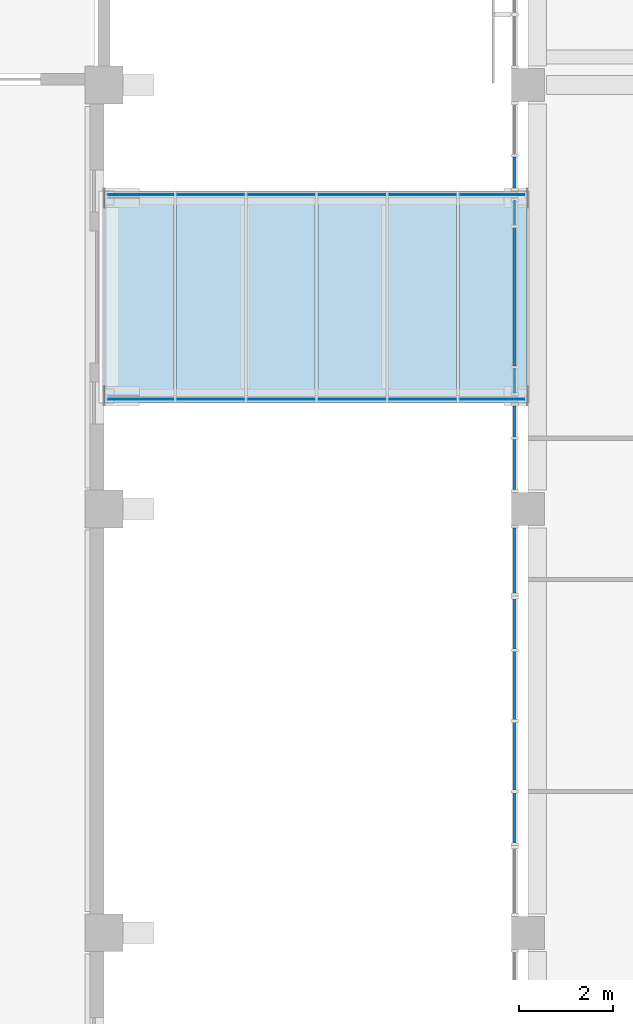
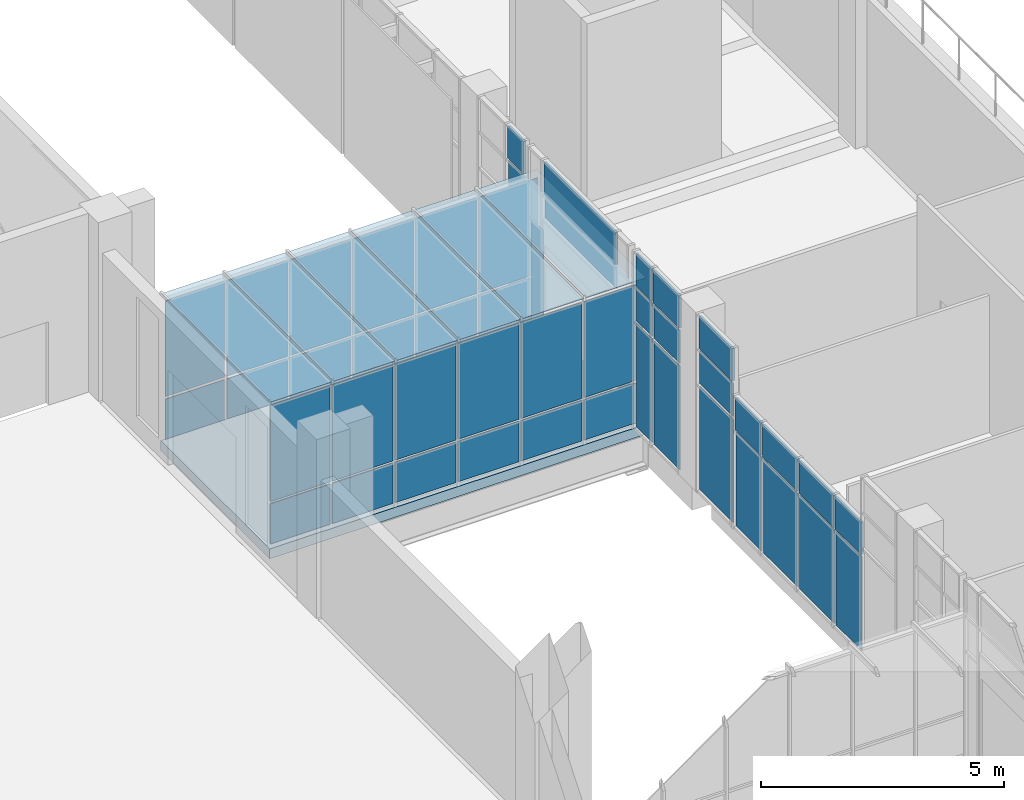
# One storey, part 56 of 106: 54 plates, 1 slab, 8 elements without a shape of their own.
"""IFC4 building model written with IfcOpenShell, lengths in metres."""

from ifc_helpers import new_model, si_unit, direction, frame, origin, origin_2d, place, context, subcontext, project, spatial, polyline, rectangle, outline, extrude, material, layer, layer_set, type_object, element, aggregate, save


model = new_model("IFC4")

# Units and contexts
model_context = context("Model", 3, precision=1e-05, world=origin(), true_north=direction((0.0, 1.0)))
body_context = subcontext(model_context, "Body", "Model", "MODEL_VIEW")
ifc_project = project(units=[si_unit("LENGTHUNIT", "METRE"), si_unit("AREAUNIT", "SQUARE_METRE"), si_unit("VOLUMEUNIT", "CUBIC_METRE"), si_unit("PLANEANGLEUNIT", "RADIAN"), si_unit("MASSUNIT", "GRAM", prefix="KILO")], contexts=[model_context])

# Site, building, storey
site_placement = place(None, origin())
site = spatial("IfcSite", under=ifc_project, at=site_placement, CompositionType="ELEMENT")
building_placement = place(site_placement, origin())
building = spatial("IfcBuilding", under=site, at=building_placement, Name="Guidao Yard Department Store", CompositionType="ELEMENT")
storey_placement = place(building_placement, frame((0.0, 0.0, 10.5)))
storey = spatial("IfcBuildingStorey", under=building, at=storey_placement, Name="L02", CompositionType="ELEMENT", Elevation=10.5)

# Slab
ifc_material_1 = material(Name="Concrete C35", Category="concrete")
ifc_layer_1 = layer(ifc_material_1, 0.25)
ifc_layer_set_1 = layer_set([ifc_layer_1], Name="Bridge deck slab 250 C35")
slab_type = type_object("IfcSlabType", Name="Bridge deck slab 250 C35", PredefinedType="FLOOR", material=ifc_layer_set_1)
slab_placement = place(storey_placement, frame((0.0, 0.0, -0.25)))
element("IfcSlab", 1, at=slab_placement, inside=storey, type_object=slab_type, Name="Slab BR04", PredefinedType="FLOOR", context=body_context, shape_type="SweptSolid", body=[
    extrude(outline(polyline([(63.014892578125, 74.25), (63.014892578125, 78.75), (72.0, 78.75), (72.0, 74.25), (63.014892578125, 74.25)])), origin(), (0.0, 0.0, 1.0), 0.25),
])

# Curtain wall, plates
ifc_material_2 = material(Name="Aluminium and glass", Category="aluminium")
ifc_layer_2 = layer(ifc_material_2, 0.159912109375)
ifc_layer_set_2 = layer_set([ifc_layer_2], Name="Bridge glazing CW5 1500 module")
curtain_wall_type_1 = type_object("IfcCurtainWallType", Name="Bridge glazing CW5 1500 module", PredefinedType="NOTDEFINED", material=ifc_layer_set_2)
curtain_wall_1_placement = place(storey_placement, origin())
curtain_wall_1 = element("IfcCurtainWall", 2, at=curtain_wall_1_placement, inside=storey, type_object=curtain_wall_type_1, Name="Bridge roof glazing BR04", PredefinedType="NOTDEFINED")
ifc_material_3 = material(Name="Laminated glass", Category="glass")
ifc_layer_3 = layer(ifc_material_3, 0.017578125)
ifc_layer_set_3 = layer_set([ifc_layer_3], Name="Bridge roof glass BG1 laminated 8+8 fritted")
plate_type_1 = type_object("IfcPlateType", Name="Bridge roof glass BG1 laminated 8+8 fritted", PredefinedType="CURTAIN_PANEL", material=ifc_layer_set_3)
plate_1_placement = place(storey_placement, frame((63.764892578125, 76.5, 3.671142578125), z_axis=(0.0, 0.0, 1.0), x_axis=(1.0, 0.0, 0.0)))
plate_1 = element("IfcPlate", 3, at=plate_1_placement, type_object=plate_type_1, Name="Bridge roof glass BR04", PredefinedType="CURTAIN_PANEL", context=body_context, shape_type="SweptSolid", body=[
    extrude(rectangle(XDim=1.43994140625, YDim=4.5, at=origin_2d()), origin(), (0.0, 0.0, 1.0), 0.017578125),
])
plate_2_placement = place(storey_placement, frame((65.264892578125, 76.5, 3.671142578125), z_axis=(0.0, 0.0, 1.0), x_axis=(1.0, 0.0, 0.0)))
plate_2 = element("IfcPlate", 4, at=plate_2_placement, type_object=plate_type_1, Name="Bridge roof glass BR04", PredefinedType="CURTAIN_PANEL", context=body_context, shape_type="SweptSolid", body=[
    extrude(rectangle(XDim=1.43994140625, YDim=4.5, at=origin_2d()), origin(), (0.0, 0.0, 1.0), 0.017578125),
])
plate_3_placement = place(storey_placement, frame((66.764892578125, 76.5, 3.671142578125), z_axis=(0.0, 0.0, 1.0), x_axis=(1.0, 0.0, 0.0)))
plate_3 = element("IfcPlate", 5, at=plate_3_placement, type_object=plate_type_1, Name="Bridge roof glass BR04", PredefinedType="CURTAIN_PANEL", context=body_context, shape_type="SweptSolid", body=[
    extrude(rectangle(XDim=1.43994140625, YDim=4.5, at=origin_2d()), origin(), (0.0, 0.0, 1.0), 0.017578125),
])
plate_4_placement = place(storey_placement, frame((68.264892578125, 76.5, 3.671142578125), z_axis=(0.0, 0.0, 1.0), x_axis=(1.0, 0.0, 0.0)))
plate_4 = element("IfcPlate", 6, at=plate_4_placement, type_object=plate_type_1, Name="Bridge roof glass BR04", PredefinedType="CURTAIN_PANEL", context=body_context, shape_type="SweptSolid", body=[
    extrude(rectangle(XDim=1.43994140625, YDim=4.5, at=origin_2d()), origin(), (0.0, 0.0, 1.0), 0.017578125),
])
plate_5_placement = place(storey_placement, frame((69.764892578125, 76.5, 3.671142578125), z_axis=(0.0, 0.0, 1.0), x_axis=(1.0, 0.0, 0.0)))
plate_5 = element("IfcPlate", 7, at=plate_5_placement, type_object=plate_type_1, Name="Bridge roof glass BR04", PredefinedType="CURTAIN_PANEL", context=body_context, shape_type="SweptSolid", body=[
    extrude(rectangle(XDim=1.43994140625, YDim=4.5, at=origin_2d()), origin(), (0.0, 0.0, 1.0), 0.017578125),
])
plate_6_placement = place(storey_placement, frame((71.257568359375, 76.5, 3.671142578125), z_axis=(0.0, 0.0, 1.0), x_axis=(1.0, 0.0, 0.0)))
plate_6 = element("IfcPlate", 8, at=plate_6_placement, type_object=plate_type_1, Name="Bridge roof glass BR04", PredefinedType="CURTAIN_PANEL", context=body_context, shape_type="SweptSolid", body=[
    extrude(rectangle(XDim=1.425048828125, YDim=4.5, at=origin_2d()), origin(), (0.0, 0.0, 1.0), 0.017578125),
])
aggregate(curtain_wall_1, [plate_1, plate_2, plate_3, plate_4, plate_5, plate_6])

ifc_material_4 = material(Name="Aluminium and glass", Category="aluminium")
ifc_layer_4 = layer(ifc_material_4, 0.159912109375)
ifc_layer_set_4 = layer_set([ifc_layer_4], Name="Shopfront curtain wall CW1 1500 module")
curtain_wall_type_2 = type_object("IfcCurtainWallType", Name="Shopfront curtain wall CW1 1500 module", PredefinedType="NOTDEFINED", material=ifc_layer_set_4)
curtain_wall_2_placement = place(storey_placement, origin())
curtain_wall_2 = element("IfcCurtainWall", 9, at=curtain_wall_2_placement, inside=storey, type_object=curtain_wall_type_2, Name="Arcade shop front", PredefinedType="NOTDEFINED")
ifc_material_5 = material(Name="Aluminium 6063-T5 faced insulated spandrel", Category="aluminium")
ifc_layer_5 = layer(ifc_material_5, 0.06005859375)
ifc_layer_set_5 = layer_set([ifc_layer_5], Name="Spandrel panel SP1 insulated opaque")
plate_type_2 = type_object("IfcPlateType", Name="Spandrel panel SP1 insulated opaque", PredefinedType="CURTAIN_PANEL", material=ifc_layer_set_5)
plate_7_placement = place(storey_placement, frame((71.719970703125, 65.43994140625, 2.47998046875), z_axis=(0.0, 0.0, 1.0), x_axis=(0.0, 1.0, 0.0)))
plate_7 = element("IfcPlate", 10, at=plate_7_placement, type_object=plate_type_2, Name="CW-AS-L02-06 panel 1.2", PredefinedType="CURTAIN_PANEL", context=body_context, shape_type="SweptSolid", body=[
    extrude(rectangle(XDim=1.06005859375, YDim=0.06005859375, at=origin_2d()), origin(), (0.0, 0.0, 1.0), 0.81005859375),
])
plate_8_placement = place(storey_placement, frame((71.719970703125, 66.75, 2.47998046875), z_axis=(0.0, 0.0, 1.0), x_axis=(0.0, 1.0, 0.0)))
plate_8 = element("IfcPlate", 11, at=plate_8_placement, type_object=plate_type_2, Name="CW-AS-L02-06 panel 2.2", PredefinedType="CURTAIN_PANEL", context=body_context, shape_type="SweptSolid", body=[
    extrude(rectangle(XDim=1.43994140625, YDim=0.06005859375, at=origin_2d()), origin(), (0.0, 0.0, 1.0), 0.81005859375),
])
plate_9_placement = place(storey_placement, frame((71.719970703125, 68.25, 2.47998046875), z_axis=(0.0, 0.0, 1.0), x_axis=(0.0, 1.0, 0.0)))
plate_9 = element("IfcPlate", 12, at=plate_9_placement, type_object=plate_type_2, Name="CW-AS-L02-06 panel 3.2", PredefinedType="CURTAIN_PANEL", context=body_context, shape_type="SweptSolid", body=[
    extrude(rectangle(XDim=1.43994140625, YDim=0.06005859375, at=origin_2d()), origin(), (0.0, 0.0, 1.0), 0.81005859375),
])
plate_10_placement = place(storey_placement, frame((71.719970703125, 69.56005859375, 2.47998046875), z_axis=(0.0, 0.0, 1.0), x_axis=(0.0, 1.0, 0.0)))
plate_10 = element("IfcPlate", 13, at=plate_10_placement, type_object=plate_type_2, Name="CW-AS-L02-06 panel 4.2", PredefinedType="CURTAIN_PANEL", context=body_context, shape_type="SweptSolid", body=[
    extrude(rectangle(XDim=1.06005859375, YDim=0.06005859375, at=origin_2d()), origin(), (0.0, 0.0, 1.0), 0.81005859375),
])

# Curtain wall, plate
curtain_wall_3_placement = place(storey_placement, origin())
curtain_wall_3 = element("IfcCurtainWall", 14, at=curtain_wall_3_placement, inside=storey, type_object=curtain_wall_type_2, Name="Arcade shop front", PredefinedType="NOTDEFINED")
plate_11_placement = place(storey_placement, frame((71.719970703125, 70.89990234375, 3.6298828125), z_axis=(0.0, 0.0, 1.0), x_axis=(0.0, 1.0, 0.0)))
plate_11 = element("IfcPlate", 15, at=plate_11_placement, type_object=plate_type_2, Name="CW-AS-L02-07 panel 1.3", PredefinedType="CURTAIN_PANEL", context=body_context, shape_type="SweptSolid", body=[
    extrude(rectangle(XDim=1.3798828125, YDim=0.06005859375, at=origin_2d()), origin(), (0.0, 0.0, 1.0), 0.81005859375),
])

# Curtain wall, plates
curtain_wall_4_placement = place(storey_placement, origin())
curtain_wall_4 = element("IfcCurtainWall", 16, at=curtain_wall_4_placement, inside=storey, type_object=curtain_wall_type_2, Name="Arcade shop front", PredefinedType="NOTDEFINED")
plate_12_placement = place(storey_placement, frame((71.719970703125, 72.93994140625, 3.6298828125), z_axis=(0.0, 0.0, 1.0), x_axis=(0.0, 1.0, 0.0)))
plate_12 = element("IfcPlate", 17, at=plate_12_placement, type_object=plate_type_2, Name="CW-AS-L02-08 panel 1.3", PredefinedType="CURTAIN_PANEL", context=body_context, shape_type="SweptSolid", body=[
    extrude(rectangle(XDim=1.06005859375, YDim=0.06005859375, at=origin_2d()), origin(), (0.0, 0.0, 1.0), 0.81005859375),
])
plate_13_placement = place(storey_placement, frame((71.719970703125, 73.860107421875, 3.6298828125), z_axis=(0.0, 0.0, 1.0), x_axis=(0.0, 1.0, 0.0)))
plate_13 = element("IfcPlate", 18, at=plate_13_placement, type_object=plate_type_2, Name="CW-AS-L02-08 panel 2.3", PredefinedType="CURTAIN_PANEL", context=body_context, shape_type="SweptSolid", body=[
    extrude(rectangle(XDim=0.659912109375, YDim=0.06005859375, at=origin_2d()), origin(), (0.0, 0.0, 1.0), 0.81005859375),
])

# Curtain wall, plate
curtain_wall_5_placement = place(storey_placement, origin())
curtain_wall_5 = element("IfcCurtainWall", 19, at=curtain_wall_5_placement, inside=storey, type_object=curtain_wall_type_2, Name="Arcade shop front", PredefinedType="NOTDEFINED")
plate_14_placement = place(storey_placement, frame((71.719970703125, 76.5, 3.6298828125), z_axis=(0.0, 0.0, 1.0), x_axis=(0.0, 1.0, 0.0)))
plate_14 = element("IfcPlate", 20, at=plate_14_placement, type_object=plate_type_2, Name="CW-AS-L02-09 panel 2.3", PredefinedType="CURTAIN_PANEL", context=body_context, shape_type="SweptSolid", body=[
    extrude(rectangle(XDim=2.93994140625, YDim=0.06005859375, at=origin_2d()), origin(), (0.0, 0.0, 1.0), 0.81005859375),
])

curtain_wall_6_placement = place(storey_placement, origin())
curtain_wall_6 = element("IfcCurtainWall", 21, at=curtain_wall_6_placement, inside=storey, type_object=curtain_wall_type_2, Name="Arcade shop front", PredefinedType="NOTDEFINED")
plate_15_placement = place(storey_placement, frame((71.719970703125, 79.139892578125, 3.6298828125), z_axis=(0.0, 0.0, 1.0), x_axis=(0.0, 1.0, 0.0)))
plate_15 = element("IfcPlate", 22, at=plate_15_placement, type_object=plate_type_2, Name="CW-AS-L02-10 panel 1.3", PredefinedType="CURTAIN_PANEL", context=body_context, shape_type="SweptSolid", body=[
    extrude(rectangle(XDim=0.659912109375, YDim=0.06005859375, at=origin_2d()), origin(), (0.0, 0.0, 1.0), 0.81005859375),
])

# Plate
ifc_material_6 = material(Name="Laminated heat-soaked tempered glass", Category="glass")
ifc_layer_6 = layer(ifc_material_6, 0.017578125)
ifc_layer_set_6 = layer_set([ifc_layer_6], Name="Vision glass VG1 laminated heat-soaked tempered 8+8")
plate_type_3 = type_object("IfcPlateType", Name="Vision glass VG1 laminated heat-soaked tempered 8+8", PredefinedType="CURTAIN_PANEL", material=ifc_layer_set_6)
plate_16_placement = place(storey_placement, frame((71.719970703125, 65.43994140625, 0.06005859375), z_axis=(0.0, 0.0, 1.0), x_axis=(0.0, 1.0, 0.0)))
plate_16 = element("IfcPlate", 23, at=plate_16_placement, type_object=plate_type_3, Name="CW-AS-L02-06 panel 1.1", PredefinedType="CURTAIN_PANEL", context=body_context, shape_type="SweptSolid", body=[
    extrude(rectangle(XDim=1.06005859375, YDim=0.017578125, at=origin_2d()), origin(), (0.0, 0.0, 1.0), 2.360107421875),
])

plate_17_placement = place(storey_placement, frame((71.719970703125, 66.75, 0.06005859375), z_axis=(0.0, 0.0, 1.0), x_axis=(0.0, 1.0, 0.0)))
plate_17 = element("IfcPlate", 24, at=plate_17_placement, type_object=plate_type_3, Name="CW-AS-L02-06 panel 2.1", PredefinedType="CURTAIN_PANEL", context=body_context, shape_type="SweptSolid", body=[
    extrude(rectangle(XDim=1.43994140625, YDim=0.017578125, at=origin_2d()), origin(), (0.0, 0.0, 1.0), 2.360107421875),
])

plate_18_placement = place(storey_placement, frame((71.719970703125, 68.25, 0.06005859375), z_axis=(0.0, 0.0, 1.0), x_axis=(0.0, 1.0, 0.0)))
plate_18 = element("IfcPlate", 25, at=plate_18_placement, type_object=plate_type_3, Name="CW-AS-L02-06 panel 3.1", PredefinedType="CURTAIN_PANEL", context=body_context, shape_type="SweptSolid", body=[
    extrude(rectangle(XDim=1.43994140625, YDim=0.017578125, at=origin_2d()), origin(), (0.0, 0.0, 1.0), 2.360107421875),
])

plate_19_placement = place(storey_placement, frame((71.719970703125, 69.56005859375, 0.06005859375), z_axis=(0.0, 0.0, 1.0), x_axis=(0.0, 1.0, 0.0)))
plate_19 = element("IfcPlate", 26, at=plate_19_placement, type_object=plate_type_3, Name="CW-AS-L02-06 panel 4.1", PredefinedType="CURTAIN_PANEL", context=body_context, shape_type="SweptSolid", body=[
    extrude(rectangle(XDim=1.06005859375, YDim=0.017578125, at=origin_2d()), origin(), (0.0, 0.0, 1.0), 2.360107421875),
])

aggregate(curtain_wall_2, [plate_16, plate_7, plate_17, plate_8, plate_18, plate_9, plate_19, plate_10])

plate_20_placement = place(storey_placement, frame((71.719970703125, 70.89990234375, 0.06005859375), z_axis=(0.0, 0.0, 1.0), x_axis=(0.0, 1.0, 0.0)))
plate_20 = element("IfcPlate", 27, at=plate_20_placement, type_object=plate_type_3, Name="CW-AS-L02-07 panel 1.1", PredefinedType="CURTAIN_PANEL", context=body_context, shape_type="SweptSolid", body=[
    extrude(rectangle(XDim=1.3798828125, YDim=0.017578125, at=origin_2d()), origin(), (0.0, 0.0, 1.0), 2.610107421875),
])

plate_21_placement = place(storey_placement, frame((71.719970703125, 70.89990234375, 2.72998046875), z_axis=(0.0, 0.0, 1.0), x_axis=(0.0, 1.0, 0.0)))
plate_21 = element("IfcPlate", 28, at=plate_21_placement, type_object=plate_type_3, Name="CW-AS-L02-07 panel 1.2", PredefinedType="CURTAIN_PANEL", context=body_context, shape_type="SweptSolid", body=[
    extrude(rectangle(XDim=1.3798828125, YDim=0.017578125, at=origin_2d()), origin(), (0.0, 0.0, 1.0), 0.840087890625),
])

aggregate(curtain_wall_3, [plate_20, plate_21, plate_11])

plate_22_placement = place(storey_placement, frame((71.719970703125, 72.93994140625, 0.06005859375), z_axis=(0.0, 0.0, 1.0), x_axis=(0.0, 1.0, 0.0)))
plate_22 = element("IfcPlate", 29, at=plate_22_placement, type_object=plate_type_3, Name="CW-AS-L02-08 panel 1.1", PredefinedType="CURTAIN_PANEL", context=body_context, shape_type="SweptSolid", body=[
    extrude(rectangle(XDim=1.06005859375, YDim=0.017578125, at=origin_2d()), origin(), (0.0, 0.0, 1.0), 2.610107421875),
])

plate_23_placement = place(storey_placement, frame((71.719970703125, 72.93994140625, 2.72998046875), z_axis=(0.0, 0.0, 1.0), x_axis=(0.0, 1.0, 0.0)))
plate_23 = element("IfcPlate", 30, at=plate_23_placement, type_object=plate_type_3, Name="CW-AS-L02-08 panel 1.2", PredefinedType="CURTAIN_PANEL", context=body_context, shape_type="SweptSolid", body=[
    extrude(rectangle(XDim=1.06005859375, YDim=0.017578125, at=origin_2d()), origin(), (0.0, 0.0, 1.0), 0.840087890625),
])

plate_24_placement = place(storey_placement, frame((71.719970703125, 73.860107421875, 0.06005859375), z_axis=(0.0, 0.0, 1.0), x_axis=(0.0, 1.0, 0.0)))
plate_24 = element("IfcPlate", 31, at=plate_24_placement, type_object=plate_type_3, Name="CW-AS-L02-08 panel 2.1", PredefinedType="CURTAIN_PANEL", context=body_context, shape_type="SweptSolid", body=[
    extrude(rectangle(XDim=0.659912109375, YDim=0.017578125, at=origin_2d()), origin(), (0.0, 0.0, 1.0), 2.610107421875),
])

plate_25_placement = place(storey_placement, frame((71.719970703125, 73.860107421875, 2.72998046875), z_axis=(0.0, 0.0, 1.0), x_axis=(0.0, 1.0, 0.0)))
plate_25 = element("IfcPlate", 32, at=plate_25_placement, type_object=plate_type_3, Name="CW-AS-L02-08 panel 2.2", PredefinedType="CURTAIN_PANEL", context=body_context, shape_type="SweptSolid", body=[
    extrude(rectangle(XDim=0.659912109375, YDim=0.017578125, at=origin_2d()), origin(), (0.0, 0.0, 1.0), 0.840087890625),
])

aggregate(curtain_wall_4, [plate_22, plate_23, plate_12, plate_24, plate_25, plate_13])

plate_26_placement = place(storey_placement, frame((71.719970703125, 74.719970703125, 0.06005859375), z_axis=(0.0, 0.0, 1.0), x_axis=(0.0, 1.0, 0.0)))
plate_26 = element("IfcPlate", 33, at=plate_26_placement, type_object=plate_type_3, Name="CW-AS-L02-09 panel 1.1", PredefinedType="CURTAIN_PANEL", context=body_context, shape_type="SweptSolid", body=[
    extrude(rectangle(XDim=0.5, YDim=0.017578125, at=origin_2d()), origin(), (0.0, 0.0, 1.0), 2.610107421875),
])

plate_27_placement = place(storey_placement, frame((71.719970703125, 76.5, 3.030029296875), z_axis=(0.0, 0.0, 1.0), x_axis=(0.0, 1.0, 0.0)))
plate_27 = element("IfcPlate", 34, at=plate_27_placement, type_object=plate_type_3, Name="CW-AS-L02-09 panel 2.2", PredefinedType="CURTAIN_PANEL", context=body_context, shape_type="SweptSolid", body=[
    extrude(rectangle(XDim=2.93994140625, YDim=0.017578125, at=origin_2d()), origin(), (0.0, 0.0, 1.0), 0.5400390625),
])

plate_28_placement = place(storey_placement, frame((71.719970703125, 78.280029296875, 0.06005859375), z_axis=(0.0, 0.0, 1.0), x_axis=(0.0, 1.0, 0.0)))
plate_28 = element("IfcPlate", 35, at=plate_28_placement, type_object=plate_type_3, Name="CW-AS-L02-09 panel 3.1", PredefinedType="CURTAIN_PANEL", context=body_context, shape_type="SweptSolid", body=[
    extrude(rectangle(XDim=0.5, YDim=0.017578125, at=origin_2d()), origin(), (0.0, 0.0, 1.0), 2.610107421875),
])

aggregate(curtain_wall_5, [plate_26, plate_27, plate_14, plate_28])

plate_29_placement = place(storey_placement, frame((71.719970703125, 79.139892578125, 0.06005859375), z_axis=(0.0, 0.0, 1.0), x_axis=(0.0, 1.0, 0.0)))
plate_29 = element("IfcPlate", 36, at=plate_29_placement, type_object=plate_type_3, Name="CW-AS-L02-10 panel 1.1", PredefinedType="CURTAIN_PANEL", context=body_context, shape_type="SweptSolid", body=[
    extrude(rectangle(XDim=0.659912109375, YDim=0.017578125, at=origin_2d()), origin(), (0.0, 0.0, 1.0), 2.610107421875),
])

plate_30_placement = place(storey_placement, frame((71.719970703125, 79.139892578125, 2.72998046875), z_axis=(0.0, 0.0, 1.0), x_axis=(0.0, 1.0, 0.0)))
plate_30 = element("IfcPlate", 37, at=plate_30_placement, type_object=plate_type_3, Name="CW-AS-L02-10 panel 1.2", PredefinedType="CURTAIN_PANEL", context=body_context, shape_type="SweptSolid", body=[
    extrude(rectangle(XDim=0.659912109375, YDim=0.017578125, at=origin_2d()), origin(), (0.0, 0.0, 1.0), 0.840087890625),
])

aggregate(curtain_wall_6, [plate_29, plate_30, plate_15])

# Curtain wall, plates
curtain_wall_7_placement = place(storey_placement, origin())
curtain_wall_7 = element("IfcCurtainWall", 38, at=curtain_wall_7_placement, inside=storey, type_object=curtain_wall_type_1, Name="Bridge glazing BR04 S", PredefinedType="NOTDEFINED")
plate_31_placement = place(storey_placement, frame((63.780029296875, 74.330078125, 0.06005859375), z_axis=(0.0, 0.0, 1.0), x_axis=(-1.0, 0.0, 0.0)))
plate_31 = element("IfcPlate", 39, at=plate_31_placement, type_object=plate_type_3, Name="CW-S-L02-03 panel 1.1", PredefinedType="CURTAIN_PANEL", context=body_context, shape_type="SweptSolid", body=[
    extrude(rectangle(XDim=1.409912109375, YDim=0.017578125, at=origin_2d()), origin(), (0.0, 0.0, 1.0), 1.010009765625),
])
plate_32_placement = place(storey_placement, frame((63.780029296875, 74.330078125, 1.1298828125), z_axis=(0.0, 0.0, 1.0), x_axis=(-1.0, 0.0, 0.0)))
plate_32 = element("IfcPlate", 40, at=plate_32_placement, type_object=plate_type_3, Name="CW-S-L02-03 panel 1.2", PredefinedType="CURTAIN_PANEL", context=body_context, shape_type="SweptSolid", body=[
    extrude(rectangle(XDim=1.409912109375, YDim=0.017578125, at=origin_2d()), origin(), (0.0, 0.0, 1.0), 2.409912109375),
])
plate_33_placement = place(storey_placement, frame((65.264892578125, 74.330078125, 0.06005859375), z_axis=(0.0, 0.0, 1.0), x_axis=(-1.0, 0.0, 0.0)))
plate_33 = element("IfcPlate", 41, at=plate_33_placement, type_object=plate_type_3, Name="CW-S-L02-03 panel 2.1", PredefinedType="CURTAIN_PANEL", context=body_context, shape_type="SweptSolid", body=[
    extrude(rectangle(XDim=1.43994140625, YDim=0.017578125, at=origin_2d()), origin(), (0.0, 0.0, 1.0), 1.010009765625),
])
plate_34_placement = place(storey_placement, frame((65.264892578125, 74.330078125, 1.1298828125), z_axis=(0.0, 0.0, 1.0), x_axis=(-1.0, 0.0, 0.0)))
plate_34 = element("IfcPlate", 42, at=plate_34_placement, type_object=plate_type_3, Name="CW-S-L02-03 panel 2.2", PredefinedType="CURTAIN_PANEL", context=body_context, shape_type="SweptSolid", body=[
    extrude(rectangle(XDim=1.43994140625, YDim=0.017578125, at=origin_2d()), origin(), (0.0, 0.0, 1.0), 2.409912109375),
])
plate_35_placement = place(storey_placement, frame((66.764892578125, 74.330078125, 0.06005859375), z_axis=(0.0, 0.0, 1.0), x_axis=(-1.0, 0.0, 0.0)))
plate_35 = element("IfcPlate", 43, at=plate_35_placement, type_object=plate_type_3, Name="CW-S-L02-03 panel 3.1", PredefinedType="CURTAIN_PANEL", context=body_context, shape_type="SweptSolid", body=[
    extrude(rectangle(XDim=1.43994140625, YDim=0.017578125, at=origin_2d()), origin(), (0.0, 0.0, 1.0), 1.010009765625),
])
plate_36_placement = place(storey_placement, frame((66.764892578125, 74.330078125, 1.1298828125), z_axis=(0.0, 0.0, 1.0), x_axis=(-1.0, 0.0, 0.0)))
plate_36 = element("IfcPlate", 44, at=plate_36_placement, type_object=plate_type_3, Name="CW-S-L02-03 panel 3.2", PredefinedType="CURTAIN_PANEL", context=body_context, shape_type="SweptSolid", body=[
    extrude(rectangle(XDim=1.43994140625, YDim=0.017578125, at=origin_2d()), origin(), (0.0, 0.0, 1.0), 2.409912109375),
])
plate_37_placement = place(storey_placement, frame((68.264892578125, 74.330078125, 0.06005859375), z_axis=(0.0, 0.0, 1.0), x_axis=(-1.0, 0.0, 0.0)))
plate_37 = element("IfcPlate", 45, at=plate_37_placement, type_object=plate_type_3, Name="CW-S-L02-03 panel 4.1", PredefinedType="CURTAIN_PANEL", context=body_context, shape_type="SweptSolid", body=[
    extrude(rectangle(XDim=1.43994140625, YDim=0.017578125, at=origin_2d()), origin(), (0.0, 0.0, 1.0), 1.010009765625),
])
plate_38_placement = place(storey_placement, frame((68.264892578125, 74.330078125, 1.1298828125), z_axis=(0.0, 0.0, 1.0), x_axis=(-1.0, 0.0, 0.0)))
plate_38 = element("IfcPlate", 46, at=plate_38_placement, type_object=plate_type_3, Name="CW-S-L02-03 panel 4.2", PredefinedType="CURTAIN_PANEL", context=body_context, shape_type="SweptSolid", body=[
    extrude(rectangle(XDim=1.43994140625, YDim=0.017578125, at=origin_2d()), origin(), (0.0, 0.0, 1.0), 2.409912109375),
])
plate_39_placement = place(storey_placement, frame((69.764892578125, 74.330078125, 0.06005859375), z_axis=(0.0, 0.0, 1.0), x_axis=(-1.0, 0.0, 0.0)))
plate_39 = element("IfcPlate", 47, at=plate_39_placement, type_object=plate_type_3, Name="CW-S-L02-03 panel 5.1", PredefinedType="CURTAIN_PANEL", context=body_context, shape_type="SweptSolid", body=[
    extrude(rectangle(XDim=1.43994140625, YDim=0.017578125, at=origin_2d()), origin(), (0.0, 0.0, 1.0), 1.010009765625),
])
plate_40_placement = place(storey_placement, frame((69.764892578125, 74.330078125, 1.1298828125), z_axis=(0.0, 0.0, 1.0), x_axis=(-1.0, 0.0, 0.0)))
plate_40 = element("IfcPlate", 48, at=plate_40_placement, type_object=plate_type_3, Name="CW-S-L02-03 panel 5.2", PredefinedType="CURTAIN_PANEL", context=body_context, shape_type="SweptSolid", body=[
    extrude(rectangle(XDim=1.43994140625, YDim=0.017578125, at=origin_2d()), origin(), (0.0, 0.0, 1.0), 2.409912109375),
])
plate_41_placement = place(storey_placement, frame((71.242431640625, 74.330078125, 0.06005859375), z_axis=(0.0, 0.0, 1.0), x_axis=(-1.0, 0.0, 0.0)))
plate_41 = element("IfcPlate", 49, at=plate_41_placement, type_object=plate_type_3, Name="CW-S-L02-03 panel 6.1", PredefinedType="CURTAIN_PANEL", context=body_context, shape_type="SweptSolid", body=[
    extrude(rectangle(XDim=1.39501953125, YDim=0.017578125, at=origin_2d()), origin(), (0.0, 0.0, 1.0), 1.010009765625),
])
plate_42_placement = place(storey_placement, frame((71.242431640625, 74.330078125, 1.1298828125), z_axis=(0.0, 0.0, 1.0), x_axis=(-1.0, 0.0, 0.0)))
plate_42 = element("IfcPlate", 50, at=plate_42_placement, type_object=plate_type_3, Name="CW-S-L02-03 panel 6.2", PredefinedType="CURTAIN_PANEL", context=body_context, shape_type="SweptSolid", body=[
    extrude(rectangle(XDim=1.39501953125, YDim=0.017578125, at=origin_2d()), origin(), (0.0, 0.0, 1.0), 2.409912109375),
])
aggregate(curtain_wall_7, [plate_31, plate_32, plate_33, plate_34, plate_35, plate_36, plate_37, plate_38, plate_39, plate_40, plate_41, plate_42])

curtain_wall_8_placement = place(storey_placement, origin())
curtain_wall_8 = element("IfcCurtainWall", 51, at=curtain_wall_8_placement, inside=storey, type_object=curtain_wall_type_1, Name="Bridge glazing BR04 N", PredefinedType="NOTDEFINED")
plate_43_placement = place(storey_placement, frame((63.780029296875, 78.669921875, 0.06005859375), z_axis=(0.0, 0.0, 1.0), x_axis=(1.0, 0.0, 0.0)))
plate_43 = element("IfcPlate", 52, at=plate_43_placement, type_object=plate_type_3, Name="CW-N-L02-04 panel 1.1", PredefinedType="CURTAIN_PANEL", context=body_context, shape_type="SweptSolid", body=[
    extrude(rectangle(XDim=1.409912109375, YDim=0.017578125, at=origin_2d()), origin(), (0.0, 0.0, 1.0), 1.010009765625),
])
plate_44_placement = place(storey_placement, frame((63.780029296875, 78.669921875, 1.1298828125), z_axis=(0.0, 0.0, 1.0), x_axis=(1.0, 0.0, 0.0)))
plate_44 = element("IfcPlate", 53, at=plate_44_placement, type_object=plate_type_3, Name="CW-N-L02-04 panel 1.2", PredefinedType="CURTAIN_PANEL", context=body_context, shape_type="SweptSolid", body=[
    extrude(rectangle(XDim=1.409912109375, YDim=0.017578125, at=origin_2d()), origin(), (0.0, 0.0, 1.0), 2.409912109375),
])
plate_45_placement = place(storey_placement, frame((65.264892578125, 78.669921875, 0.06005859375), z_axis=(0.0, 0.0, 1.0), x_axis=(1.0, 0.0, 0.0)))
plate_45 = element("IfcPlate", 54, at=plate_45_placement, type_object=plate_type_3, Name="CW-N-L02-04 panel 2.1", PredefinedType="CURTAIN_PANEL", context=body_context, shape_type="SweptSolid", body=[
    extrude(rectangle(XDim=1.43994140625, YDim=0.017578125, at=origin_2d()), origin(), (0.0, 0.0, 1.0), 1.010009765625),
])
plate_46_placement = place(storey_placement, frame((65.264892578125, 78.669921875, 1.1298828125), z_axis=(0.0, 0.0, 1.0), x_axis=(1.0, 0.0, 0.0)))
plate_46 = element("IfcPlate", 55, at=plate_46_placement, type_object=plate_type_3, Name="CW-N-L02-04 panel 2.2", PredefinedType="CURTAIN_PANEL", context=body_context, shape_type="SweptSolid", body=[
    extrude(rectangle(XDim=1.43994140625, YDim=0.017578125, at=origin_2d()), origin(), (0.0, 0.0, 1.0), 2.409912109375),
])
plate_47_placement = place(storey_placement, frame((66.764892578125, 78.669921875, 0.06005859375), z_axis=(0.0, 0.0, 1.0), x_axis=(1.0, 0.0, 0.0)))
plate_47 = element("IfcPlate", 56, at=plate_47_placement, type_object=plate_type_3, Name="CW-N-L02-04 panel 3.1", PredefinedType="CURTAIN_PANEL", context=body_context, shape_type="SweptSolid", body=[
    extrude(rectangle(XDim=1.43994140625, YDim=0.017578125, at=origin_2d()), origin(), (0.0, 0.0, 1.0), 1.010009765625),
])
plate_48_placement = place(storey_placement, frame((66.764892578125, 78.669921875, 1.1298828125), z_axis=(0.0, 0.0, 1.0), x_axis=(1.0, 0.0, 0.0)))
plate_48 = element("IfcPlate", 57, at=plate_48_placement, type_object=plate_type_3, Name="CW-N-L02-04 panel 3.2", PredefinedType="CURTAIN_PANEL", context=body_context, shape_type="SweptSolid", body=[
    extrude(rectangle(XDim=1.43994140625, YDim=0.017578125, at=origin_2d()), origin(), (0.0, 0.0, 1.0), 2.409912109375),
])
plate_49_placement = place(storey_placement, frame((68.264892578125, 78.669921875, 0.06005859375), z_axis=(0.0, 0.0, 1.0), x_axis=(1.0, 0.0, 0.0)))
plate_49 = element("IfcPlate", 58, at=plate_49_placement, type_object=plate_type_3, Name="CW-N-L02-04 panel 4.1", PredefinedType="CURTAIN_PANEL", context=body_context, shape_type="SweptSolid", body=[
    extrude(rectangle(XDim=1.43994140625, YDim=0.017578125, at=origin_2d()), origin(), (0.0, 0.0, 1.0), 1.010009765625),
])
plate_50_placement = place(storey_placement, frame((68.264892578125, 78.669921875, 1.1298828125), z_axis=(0.0, 0.0, 1.0), x_axis=(1.0, 0.0, 0.0)))
plate_50 = element("IfcPlate", 59, at=plate_50_placement, type_object=plate_type_3, Name="CW-N-L02-04 panel 4.2", PredefinedType="CURTAIN_PANEL", context=body_context, shape_type="SweptSolid", body=[
    extrude(rectangle(XDim=1.43994140625, YDim=0.017578125, at=origin_2d()), origin(), (0.0, 0.0, 1.0), 2.409912109375),
])
plate_51_placement = place(storey_placement, frame((69.764892578125, 78.669921875, 0.06005859375), z_axis=(0.0, 0.0, 1.0), x_axis=(1.0, 0.0, 0.0)))
plate_51 = element("IfcPlate", 60, at=plate_51_placement, type_object=plate_type_3, Name="CW-N-L02-04 panel 5.1", PredefinedType="CURTAIN_PANEL", context=body_context, shape_type="SweptSolid", body=[
    extrude(rectangle(XDim=1.43994140625, YDim=0.017578125, at=origin_2d()), origin(), (0.0, 0.0, 1.0), 1.010009765625),
])
plate_52_placement = place(storey_placement, frame((69.764892578125, 78.669921875, 1.1298828125), z_axis=(0.0, 0.0, 1.0), x_axis=(1.0, 0.0, 0.0)))
plate_52 = element("IfcPlate", 61, at=plate_52_placement, type_object=plate_type_3, Name="CW-N-L02-04 panel 5.2", PredefinedType="CURTAIN_PANEL", context=body_context, shape_type="SweptSolid", body=[
    extrude(rectangle(XDim=1.43994140625, YDim=0.017578125, at=origin_2d()), origin(), (0.0, 0.0, 1.0), 2.409912109375),
])
plate_53_placement = place(storey_placement, frame((71.242431640625, 78.669921875, 0.06005859375), z_axis=(0.0, 0.0, 1.0), x_axis=(1.0, 0.0, 0.0)))
plate_53 = element("IfcPlate", 62, at=plate_53_placement, type_object=plate_type_3, Name="CW-N-L02-04 panel 6.1", PredefinedType="CURTAIN_PANEL", context=body_context, shape_type="SweptSolid", body=[
    extrude(rectangle(XDim=1.39501953125, YDim=0.017578125, at=origin_2d()), origin(), (0.0, 0.0, 1.0), 1.010009765625),
])
plate_54_placement = place(storey_placement, frame((71.242431640625, 78.669921875, 1.1298828125), z_axis=(0.0, 0.0, 1.0), x_axis=(1.0, 0.0, 0.0)))
plate_54 = element("IfcPlate", 63, at=plate_54_placement, type_object=plate_type_3, Name="CW-N-L02-04 panel 6.2", PredefinedType="CURTAIN_PANEL", context=body_context, shape_type="SweptSolid", body=[
    extrude(rectangle(XDim=1.39501953125, YDim=0.017578125, at=origin_2d()), origin(), (0.0, 0.0, 1.0), 2.409912109375),
])
aggregate(curtain_wall_8, [plate_43, plate_44, plate_45, plate_46, plate_47, plate_48, plate_49, plate_50, plate_51, plate_52, plate_53, plate_54])

save(model, "model.ifc")
